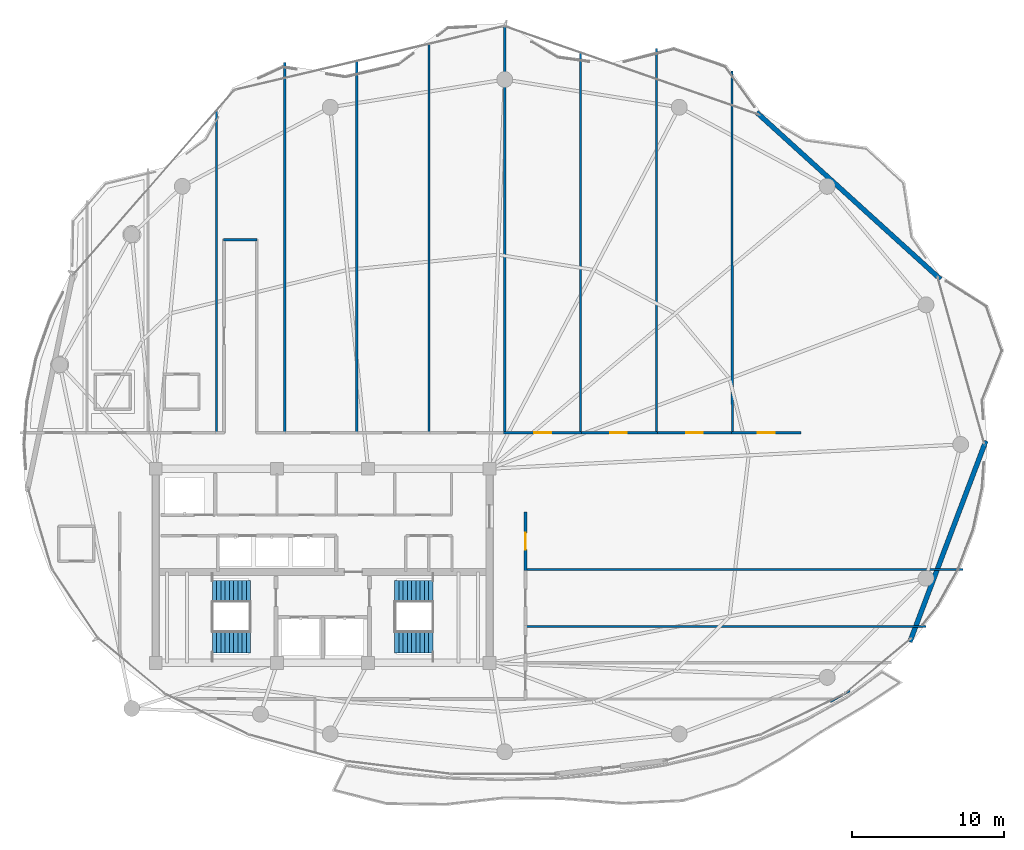
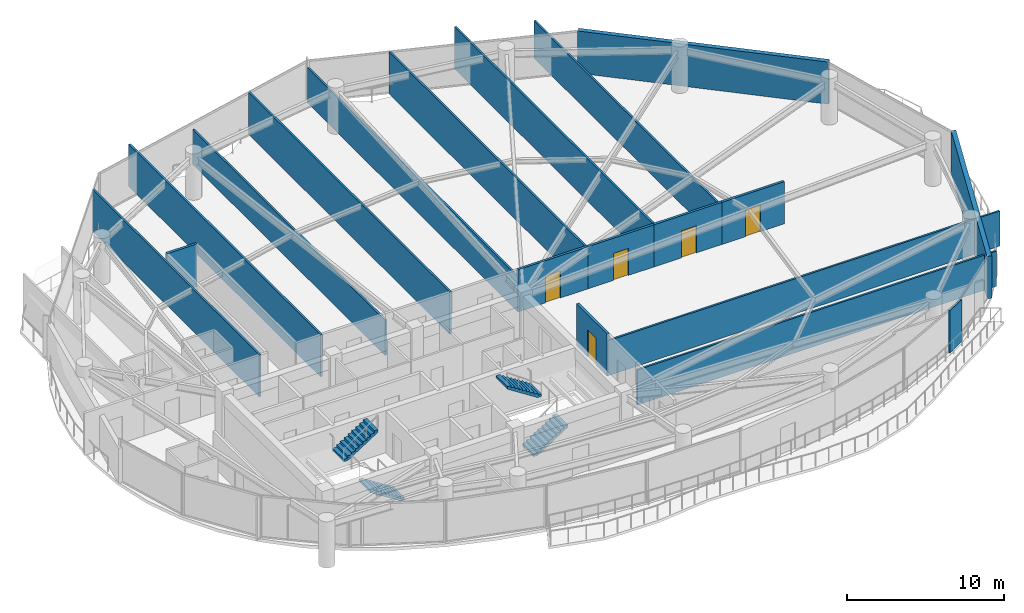
# One storey, part 25 of 29: 19 walls, 5 doors, 4 stair flights, 5 openings, 2 elements without a shape of their own.
"""IFC4 building model written with IfcOpenShell, lengths in metres."""

import ifcopenshell
import ifcopenshell.guid

model = None  # the IFC model being written
_history = None  # IfcOwnerHistory: only IFC2X3 demands one
_inside = {}  # id of a spatial element -> (the spatial element, [elements in it])
_under = {}  # id of a project, library or spatial element -> (it, [spatial elements below it])
_declared = {}  # id of a project -> (the project, [libraries it declares])
_typed = {}  # id of a type object -> (the type object, [elements of that type])
_made_of = {}  # id of a material, layer set ... -> (it, [elements and type objects made of it])


def new_model(schema):
    """Start an empty IFC model of exactly this schema.

    Asked for "IFC4X3", IfcOpenShell would pick the latest addendum, in which some entities
    have other attributes; the version numbers below select the first issue.
    IFC2X3 requires an IfcOwnerHistory on every rooted entity: one is made here for all.
    """
    global model, _history
    if schema == "IFC4X3":
        model = ifcopenshell.file(schema_version=(4, 3, 0, 0))
    else:
        model = ifcopenshell.file(schema=schema)
    _inside.clear()
    _under.clear()
    _declared.clear()
    _typed.clear()
    _made_of.clear()
    _history = None
    if model.schema == "IFC2X3":
        org = make("IfcOrganization", Name="unknown")
        user = make(
            "IfcPersonAndOrganization",
            ThePerson=make("IfcPerson", FamilyName="unknown"),
            TheOrganization=org,
        )
        app = make(
            "IfcApplication",
            ApplicationDeveloper=org,
            Version="unknown",
            ApplicationFullName="unknown",
            ApplicationIdentifier="unknown",
        )
        _history = make(
            "IfcOwnerHistory",
            OwningUser=user,
            OwningApplication=app,
            ChangeAction="ADDED",
            CreationDate=0,
        )
    return model


def make(cls, **values):
    """One entity of the class cls with the attributes given. An attribute that is None is left unset."""
    return model.create_entity(
        cls, **{name: value for name, value in values.items() if value is not None}
    )


def rooted(cls, **values):
    """An entity with a GlobalId (a new one), such as an element, a storey or a relation."""
    return make(cls, GlobalId=ifcopenshell.guid.new(), OwnerHistory=_history, **values)


def si_unit(unit_type, name, prefix=None):
    """IfcSIUnit, for example si_unit("LENGTHUNIT", "METRE", prefix="MILLI")."""
    return make("IfcSIUnit", UnitType=unit_type, Prefix=prefix, Name=name)


def assignment(units):
    """IfcUnitAssignment: the units of a project."""
    return None if units is None else make("IfcUnitAssignment", Units=units)


def point(xyz):
    """IfcCartesianPoint."""
    return None if xyz is None else make("IfcCartesianPoint", Coordinates=xyz)


def direction(xyz):
    """IfcDirection."""
    return None if xyz is None else make("IfcDirection", DirectionRatios=xyz)


def frame(location, z_axis=None, x_axis=None):
    """IfcAxis2Placement3D, a coordinate frame: its origin and axes. An axis left out is left unset."""
    return make(
        "IfcAxis2Placement3D",
        Location=point(location),
        Axis=direction(z_axis),
        RefDirection=direction(x_axis),
    )


def frame_2d(location, x_axis=None):
    """IfcAxis2Placement2D, a coordinate frame in the plane: its origin and x axis."""
    return make(
        "IfcAxis2Placement2D", Location=point(location), RefDirection=direction(x_axis)
    )


def origin():
    """The frame at (0, 0, 0) with its axes left unset."""
    return frame((0.0, 0.0, 0.0))


def place(relative_to, where):
    """IfcLocalPlacement: puts the frame where relative to a parent placement (None: the world)."""
    return make(
        "IfcLocalPlacement", PlacementRelTo=relative_to, RelativePlacement=where
    )


def context(
    kind, dimensions, precision=None, world=None, true_north=None, identifier=None
):
    """IfcGeometricRepresentationContext, for example the 3D "Model" context."""
    return make(
        "IfcGeometricRepresentationContext",
        ContextIdentifier=identifier,
        ContextType=kind,
        CoordinateSpaceDimension=dimensions,
        Precision=precision,
        WorldCoordinateSystem=world,
        TrueNorth=true_north,
    )


def subcontext(parent, identifier, kind, view, scale=None):
    """IfcGeometricRepresentationSubContext, for example "Body" below "Model"."""
    return make(
        "IfcGeometricRepresentationSubContext",
        ContextIdentifier=identifier,
        ContextType=kind,
        ParentContext=parent,
        TargetScale=scale,
        TargetView=view,
    )


def project(units=None, contexts=None):
    """IfcProject with its units and contexts."""
    return rooted(
        "IfcProject",
        Name="project",
        RepresentationContexts=contexts,
        UnitsInContext=assignment(units),
    )


def spatial(cls, under=None, at=None, **own):
    """A site, building, storey or space (cls), placed at a placement, below another one or the project."""
    s = rooted(cls, ObjectPlacement=at, **own)
    if under is not None:
        _under.setdefault(under.id(), (under, []))[1].append(s)
    return s


def polyline(points):
    """IfcPolyline through the points."""
    return make("IfcPolyline", Points=[point(p) for p in points])


def profile(cls, at=None, kind="AREA", **sizes):
    """A parametric profile (cls). Its sizes go by their IFC names, for example OverallWidth=200.0."""
    return make(cls, ProfileType=kind, Position=at, **sizes)


def rectangle(**sizes):
    """IfcRectangleProfileDef."""
    return profile("IfcRectangleProfileDef", **sizes)


def outline(outer, holes=None, kind="AREA"):
    """IfcArbitraryClosedProfileDef: a profile drawn as a closed curve; with holes, ...WithVoids."""
    if holes is None:
        return make("IfcArbitraryClosedProfileDef", ProfileType=kind, OuterCurve=outer)
    return make(
        "IfcArbitraryProfileDefWithVoids",
        ProfileType=kind,
        OuterCurve=outer,
        InnerCurves=holes,
    )


def extrude(swept, where, along, depth):
    """IfcExtrudedAreaSolid: the profile swept, set in the frame where, extruded along a direction by depth."""
    return make(
        "IfcExtrudedAreaSolid",
        SweptArea=swept,
        Position=where,
        ExtrudedDirection=direction(along),
        Depth=depth,
    )


def shape(context_of_items, identifier, shape_type, items):
    """IfcShapeRepresentation: the items that make up one representation, for example the "Body"."""
    return make(
        "IfcShapeRepresentation",
        ContextOfItems=context_of_items,
        RepresentationIdentifier=identifier,
        RepresentationType=shape_type,
        Items=items,
    )


def material(Name=None, Category=None):
    """IfcMaterial."""
    return make("IfcMaterial", Name=Name, Category=Category)


def layer(
    of_material, thickness, ventilated=None, Name=None, Category=None, Priority=None
):
    """IfcMaterialLayer: one layer of a wall or slab, of a material (None: an air gap)."""
    return make(
        "IfcMaterialLayer",
        Material=of_material,
        LayerThickness=thickness,
        IsVentilated=ventilated,
        Name=Name,
        Category=Category,
        Priority=Priority,
    )


def layer_set(layers, Name=None):
    """IfcMaterialLayerSet."""
    return make("IfcMaterialLayerSet", MaterialLayers=layers, LayerSetName=Name)


def made_of(thing, what):
    """Note that an element or type object is made of a material, layer set ...; save() writes the relation."""
    if what is not None:
        _made_of.setdefault(what.id(), (what, []))[1].append(thing)
    return thing


def type_object(cls, material=None, **own):
    """A type object (cls), such as IfcWallType, which elements share."""
    return made_of(rooted(cls, **own), material)


def element(
    cls,
    number,
    at=None,
    inside=None,
    cuts=None,
    type_object=None,
    material=None,
    context=None,
    identifier="Body",
    shape_type=None,
    held_by="IfcProductDefinitionShape",
    body=None,
    shapes=None,
    **own,
):
    """One element of the class cls, such as IfcWall. Its Tag is "e" and its number.

    at: its placement. inside: the storey or other place that contains it. cuts: it is an
    opening in that element (IfcRelVoidsElement). A single representation is given by context,
    identifier, shape_type and body (its items); several are given by shapes. held_by: the class
    of the entity that holds the representations. save() writes the other relations.
    """
    e = rooted(cls, Tag="e%d" % number, ObjectPlacement=at, **own)
    if body is not None:
        shapes = [shape(context, identifier, shape_type, body)]
    if shapes is not None:
        e.Representation = make(held_by, Representations=shapes)
    if inside is not None:
        _inside.setdefault(inside.id(), (inside, []))[1].append(e)
    if cuts is not None:
        rooted(
            "IfcRelVoidsElement", RelatingBuildingElement=cuts, RelatedOpeningElement=e
        )
    if type_object is not None:
        _typed.setdefault(type_object.id(), (type_object, []))[1].append(e)
    return made_of(e, material)


def fill(opening, filler):
    """IfcRelFillsElement: the door or window that sits in an opening."""
    return rooted(
        "IfcRelFillsElement",
        RelatingOpeningElement=opening,
        RelatedBuildingElement=filler,
    )


def aggregate(whole, parts):
    """IfcRelAggregates: a whole, such as a stair, and the parts it consists of."""
    return rooted("IfcRelAggregates", RelatingObject=whole, RelatedObjects=parts)


def save(model, path):
    """Write the relations noted so far, then the file.

    IfcRelAggregates (storeys below a building ...), IfcRelContainedInSpatialStructure (elements
    in a storey), IfcRelDefinesByType, IfcRelAssociatesMaterial and IfcRelDeclares: one each for
    every whole, place, type object, material and project.
    """
    for whole, parts in _under.values():
        aggregate(whole, parts)
    for where, things in _inside.values():
        rooted(
            "IfcRelContainedInSpatialStructure",
            RelatedElements=things,
            RelatingStructure=where,
        )
    for kind, things in _typed.values():
        rooted("IfcRelDefinesByType", RelatedObjects=things, RelatingType=kind)
    for what, things in _made_of.values():
        rooted("IfcRelAssociatesMaterial", RelatedObjects=things, RelatingMaterial=what)
    for by, libraries in _declared.values():
        rooted("IfcRelDeclares", RelatingContext=by, RelatedDefinitions=libraries)
    model.write(path)


model = new_model("IFC4")

# Units and contexts
model_context = context("Model", 3, precision=1e-05, world=origin(), true_north=direction((0.0, 1.0)))
body_context = subcontext(model_context, "Body", "Model", "MODEL_VIEW")
ifc_project = project(units=[si_unit("LENGTHUNIT", "METRE"), si_unit("AREAUNIT", "SQUARE_METRE"), si_unit("VOLUMEUNIT", "CUBIC_METRE"), si_unit("PLANEANGLEUNIT", "RADIAN"), si_unit("MASSUNIT", "GRAM", prefix="KILO")], contexts=[model_context])

# Site, building, storey
site_placement = place(None, origin())
site = spatial("IfcSite", under=ifc_project, at=site_placement, CompositionType="ELEMENT")
building_placement = place(site_placement, origin())
building = spatial("IfcBuilding", under=site, at=building_placement, Name="Kazevale Care Tower and Concert Hall", CompositionType="ELEMENT")
storey_placement = place(building_placement, frame((0.0, 0.0, 249.60009765625)))
storey = spatial("IfcBuildingStorey", under=building, at=storey_placement, Name="L66", CompositionType="ELEMENT", Elevation=249.60009765625)

# Walls
ifc_material_1 = material(Name="Acoustic Gypsum on Steel Stud", Category="steel")
ifc_layer_1 = layer(ifc_material_1, 0.139892578125)
ifc_layer_set_1 = layer_set([ifc_layer_1], Name="Acoustic Gypsum on Steel Stud")
wall_type_1 = type_object("IfcWallType", Name="Acoustic Care & Suite Partition 140", PredefinedType="PARTITIONING", material=ifc_layer_set_1)
wall_1_placement = place(storey_placement, frame((26.0, 60.002685546875, 0.0), z_axis=(0.0, 0.0, 1.0), x_axis=(0.0, -1.0, 0.0)))
element("IfcWall", 1, at=wall_1_placement, inside=storey, type_object=wall_type_1, Name="wall:L66:auto_025", PredefinedType="PARTITIONING", context=body_context, shape_type="SweptSolid", body=[
    extrude(rectangle(XDim=21.257568359375, YDim=0.139892578125, at=frame_2d((10.62890625, 0.0))), origin(), (0.0, 0.0, 1.0), 3.27978515625),
])
wall_2_placement = place(storey_placement, frame((30.5, 63.177001953125, 0.0), z_axis=(0.0, 0.0, 1.0), x_axis=(0.0, -1.0, 0.0)))
element("IfcWall", 2, at=wall_2_placement, inside=storey, type_object=wall_type_1, Name="wall:L66:auto_026", PredefinedType="PARTITIONING", context=body_context, shape_type="SweptSolid", body=[
    extrude(rectangle(XDim=24.431884765625, YDim=0.139892578125, at=frame_2d((12.2158203125, 0.0))), origin(), (0.0, 0.0, 1.0), 3.27978515625),
])
wall_3_placement = place(storey_placement, frame((35.25, 63.260009765625, 0.0), z_axis=(0.0, 0.0, 1.0), x_axis=(0.0, -1.0, 0.0)))
element("IfcWall", 3, at=wall_3_placement, inside=storey, type_object=wall_type_1, Name="wall:L66:auto_027", PredefinedType="PARTITIONING", context=body_context, shape_type="SweptSolid", body=[
    extrude(rectangle(XDim=24.514892578125, YDim=0.139892578125, at=frame_2d((12.25732421875, 0.0))), origin(), (0.0, 0.0, 1.0), 2.725830078125),
])
wall_4_placement = place(storey_placement, frame((40.0, 64.384765625, 0.0), z_axis=(0.0, 0.0, 1.0), x_axis=(0.0, -1.0, 0.0)))
element("IfcWall", 4, at=wall_4_placement, inside=storey, type_object=wall_type_1, Name="wall:L66:auto_028", PredefinedType="PARTITIONING", context=body_context, shape_type="SweptSolid", body=[
    extrude(rectangle(XDim=25.6396484375, YDim=0.139892578125, at=frame_2d((12.81982421875, 0.0))), origin(), (0.0, 0.0, 1.0), 3.27978515625),
])
wall_5_placement = place(storey_placement, frame((45.0, 65.5419921875, 0.0), z_axis=(0.0, 0.0, 1.0), x_axis=(0.0, -1.0, 0.0)))
element("IfcWall", 5, at=wall_5_placement, inside=storey, type_object=wall_type_1, Name="wall:L66:auto_029", PredefinedType="PARTITIONING", context=body_context, shape_type="SweptSolid", body=[
    extrude(rectangle(XDim=26.796875, YDim=0.139892578125, at=frame_2d((13.3984375, 0.0))), origin(), (0.0, 0.0, 1.0), 2.725830078125),
])
wall_6_placement = place(storey_placement, frame((50.0, 63.802490234375, 0.0), z_axis=(0.0, 0.0, 1.0), x_axis=(0.0, -1.0, 0.0)))
element("IfcWall", 6, at=wall_6_placement, inside=storey, type_object=wall_type_1, Name="wall:L66:auto_030", PredefinedType="PARTITIONING", context=body_context, shape_type="SweptSolid", body=[
    extrude(rectangle(XDim=25.057373046875, YDim=0.139892578125, at=frame_2d((12.52880859375, 0.0))), origin(), (0.0, 0.0, 1.0), 3.27978515625),
])
wall_7_placement = place(storey_placement, frame((55.0, 64.093994140625, 0.0), z_axis=(0.0, 0.0, 1.0), x_axis=(0.0, -1.0, 0.0)))
element("IfcWall", 7, at=wall_7_placement, inside=storey, type_object=wall_type_1, Name="wall:L66:auto_031", PredefinedType="PARTITIONING", context=body_context, shape_type="SweptSolid", body=[
    extrude(rectangle(XDim=25.348876953125, YDim=0.139892578125, at=frame_2d((12.67431640625, 0.0))), origin(), (0.0, 0.0, 1.0), 3.27978515625),
])
wall_8_placement = place(storey_placement, frame((59.97900390625, 62.60791015625, 0.0), z_axis=(0.0, 0.0, 1.0), x_axis=(0.000879867065, -0.999999612917, 0.0)))
element("IfcWall", 8, at=wall_8_placement, inside=storey, type_object=wall_type_1, Name="wall:L66:auto_032", PredefinedType="PARTITIONING", context=body_context, shape_type="SweptSolid", body=[
    extrude(rectangle(XDim=23.86279296875, YDim=0.139892578125, at=frame_2d((11.931396484375, 0.0))), origin(), (0.0, 0.0, 1.0), 2.916015625),
])
wall_9_placement = place(storey_placement, frame((67.748046875, 21.77001953125, 0.0), z_axis=(0.0, 0.0, 1.0), x_axis=(-0.871352238731, -0.490658003153, 0.0)))
element("IfcWall", 9, at=wall_9_placement, inside=storey, type_object=wall_type_1, Name="wall:L66:auto_035", PredefinedType="PARTITIONING", context=body_context, shape_type="SweptSolid", body=[
    extrude(rectangle(XDim=1.48974609375, YDim=0.139892578125, at=frame_2d((0.744873046875, 0.0))), origin(), (0.0, 0.0, 1.0), 3.27978515625),
])
wall_10_placement = place(storey_placement, frame((46.344970703125, 26.0, 0.0), z_axis=(0.0, 0.0, 1.0), x_axis=(1.0, 0.0, 0.0)))
element("IfcWall", 10, at=wall_10_placement, inside=storey, type_object=wall_type_1, Name="wall:L66:auto_036", PredefinedType="PARTITIONING", context=body_context, shape_type="SweptSolid", body=[
    extrude(rectangle(XDim=26.427978515625, YDim=0.139892578125, at=frame_2d((13.2138671875, 0.0))), origin(), (0.0, 0.0, 1.0), 2.725830078125),
])
wall_11_placement = place(storey_placement, frame((46.344970703125, 29.75, 0.0), z_axis=(0.0, 0.0, 1.0), x_axis=(1.0, 0.0, 0.0)))
element("IfcWall", 11, at=wall_11_placement, inside=storey, type_object=wall_type_1, Name="wall:L66:auto_037", PredefinedType="PARTITIONING", context=body_context, shape_type="SweptSolid", body=[
    extrude(rectangle(XDim=28.846923828125, YDim=0.139892578125, at=frame_2d((14.42333984375, 0.0))), origin(), (0.0, 0.0, 1.0), 2.725830078125),
])
ifc_material_2 = material(Name="Concrete C40 and Acoustic Gypsum", Category="concrete")
ifc_layer_2 = layer(ifc_material_2, 0.179931640625)
ifc_layer_set_2 = layer_set([ifc_layer_2], Name="Concrete C40 and Acoustic Gypsum")
wall_type_2 = type_object("IfcWallType", Name="Fire-Rated Corridor & Party Wall 180", PredefinedType="PARTITIONING", material=ifc_layer_set_2)
wall_12_placement = place(storey_placement, frame((26.469970703125, 51.5, 0.0), z_axis=(0.0, 0.0, 1.0), x_axis=(1.0, 0.0, 0.0)))
element("IfcWall", 12, at=wall_12_placement, inside=storey, type_object=wall_type_2, Name="wall:L66:auto_006", PredefinedType="PARTITIONING", context=body_context, shape_type="SweptSolid", body=[
    extrude(rectangle(XDim=2.2099609375, YDim=0.179931640625, at=frame_2d((1.10498046875, 0.0))), origin(), (0.0, 0.0, 1.0), 3.27978515625),
])

# Wall, opening, door
wall_13_placement = place(storey_placement, frame((44.93505859375, 38.77490234375, 0.0), z_axis=(0.0, 0.0, 1.0), x_axis=(1.0, 0.0, 0.0)))
wall_13 = element("IfcWall", 13, at=wall_13_placement, inside=storey, type_object=wall_type_2, Name="wall:L66:auto_012", PredefinedType="PARTITIONING", context=body_context, shape_type="SweptSolid", body=[
    extrude(rectangle(XDim=5.1298828125, YDim=0.179931640625, at=frame_2d((2.56494140625, 0.0))), origin(), (0.0, 0.0, 1.0), 3.27978515625),
])
opening_1_placement = place(wall_13_placement, frame((2.014892578125, 0.0, 0.0)))
opening_1 = element("IfcOpeningElement", 14, at=opening_1_placement, cuts=wall_13, Name="Opening ID-1100", PredefinedType="OPENING", context=body_context, shape_type="SweptSolid", body=[
    extrude(rectangle(XDim=1.10009765625, YDim=2.10009765625, at=frame_2d((0.550048828125, 1.050048828125))), frame((0.0, 0.099853515625, 0.0), z_axis=(0.0, -1.0, 0.0), x_axis=(1.0, 0.0, 0.0)), (0.0, 0.0, 1.0), 0.199951171875),
])
ifc_material_3 = material(Name="Oak Timber Fire Leaf", Category="wood")
door_type = type_object("IfcDoorType", Name="Care Bedroom Accessible Door 1100x2100", OperationType="NOTDEFINED", PredefinedType="DOOR", material=ifc_material_3)
door_1_placement = place(opening_1_placement, origin())
door_1 = element("IfcDoor", 15, at=door_1_placement, inside=storey, type_object=door_type, Name="door:L66:ad_012", OperationType="SINGLE_SWING_LEFT", OverallHeight=2.10009765625, OverallWidth=1.10009765625, PredefinedType="DOOR", context=body_context, shape_type="SweptSolid", body=[
    extrude(rectangle(XDim=1.10009765625, YDim=2.10009765625, at=frame_2d((0.550048828125, 1.050048828125))), frame((0.0, 0.02490234375, 0.0), z_axis=(0.0, -1.0, 0.0), x_axis=(1.0, 0.0, 0.0)), (0.0, 0.0, 1.0), 0.050048828125),
])
fill(opening_1, door_1)

wall_14_placement = place(storey_placement, frame((49.93505859375, 38.77490234375, 0.0), z_axis=(0.0, 0.0, 1.0), x_axis=(1.0, 0.0, 0.0)))
wall_14 = element("IfcWall", 16, at=wall_14_placement, inside=storey, type_object=wall_type_2, Name="wall:L66:auto_013", PredefinedType="PARTITIONING", context=body_context, shape_type="SweptSolid", body=[
    extrude(rectangle(XDim=5.1298828125, YDim=0.179931640625, at=frame_2d((2.56494140625, 0.0))), origin(), (0.0, 0.0, 1.0), 3.27978515625),
])
opening_2_placement = place(wall_14_placement, frame((2.014892578125, 0.0, 0.0)))
opening_2 = element("IfcOpeningElement", 17, at=opening_2_placement, cuts=wall_14, Name="Opening ID-1100", PredefinedType="OPENING", context=body_context, shape_type="SweptSolid", body=[
    extrude(rectangle(XDim=1.10009765625, YDim=2.10009765625, at=frame_2d((0.550048828125, 1.050048828125))), frame((0.0, 0.099853515625, 0.0), z_axis=(0.0, -1.0, 0.0), x_axis=(1.0, 0.0, 0.0)), (0.0, 0.0, 1.0), 0.199951171875),
])
door_2_placement = place(opening_2_placement, origin())
door_2 = element("IfcDoor", 18, at=door_2_placement, inside=storey, type_object=door_type, Name="door:L66:ad_013", OperationType="SINGLE_SWING_LEFT", OverallHeight=2.10009765625, OverallWidth=1.10009765625, PredefinedType="DOOR", context=body_context, shape_type="SweptSolid", body=[
    extrude(rectangle(XDim=1.10009765625, YDim=2.10009765625, at=frame_2d((0.550048828125, 1.050048828125))), frame((0.0, 0.02490234375, 0.0), z_axis=(0.0, -1.0, 0.0), x_axis=(1.0, 0.0, 0.0)), (0.0, 0.0, 1.0), 0.050048828125),
])
fill(opening_2, door_2)

wall_15_placement = place(storey_placement, frame((54.93505859375, 38.77490234375, 0.0), z_axis=(0.0, 0.0, 1.0), x_axis=(1.0, 0.0, 0.0)))
wall_15 = element("IfcWall", 19, at=wall_15_placement, inside=storey, type_object=wall_type_2, Name="wall:L66:auto_014", PredefinedType="PARTITIONING", context=body_context, shape_type="SweptSolid", body=[
    extrude(rectangle(XDim=5.1298828125, YDim=0.179931640625, at=frame_2d((2.56494140625, 0.0))), origin(), (0.0, 0.0, 1.0), 3.27978515625),
])
opening_3_placement = place(wall_15_placement, frame((2.014892578125, 0.0, 0.0)))
opening_3 = element("IfcOpeningElement", 20, at=opening_3_placement, cuts=wall_15, Name="Opening ID-1100", PredefinedType="OPENING", context=body_context, shape_type="SweptSolid", body=[
    extrude(rectangle(XDim=1.10009765625, YDim=2.10009765625, at=frame_2d((0.550048828125, 1.050048828125))), frame((0.0, 0.099853515625, 0.0), z_axis=(0.0, -1.0, 0.0), x_axis=(1.0, 0.0, 0.0)), (0.0, 0.0, 1.0), 0.199951171875),
])
door_3_placement = place(opening_3_placement, origin())
door_3 = element("IfcDoor", 21, at=door_3_placement, inside=storey, type_object=door_type, Name="door:L66:ad_014", OperationType="SINGLE_SWING_LEFT", OverallHeight=2.10009765625, OverallWidth=1.10009765625, PredefinedType="DOOR", context=body_context, shape_type="SweptSolid", body=[
    extrude(rectangle(XDim=1.10009765625, YDim=2.10009765625, at=frame_2d((0.550048828125, 1.050048828125))), frame((0.0, 0.02490234375, 0.0), z_axis=(0.0, -1.0, 0.0), x_axis=(1.0, 0.0, 0.0)), (0.0, 0.0, 1.0), 0.050048828125),
])
fill(opening_3, door_3)

wall_16_placement = place(storey_placement, frame((59.93505859375, 38.77490234375, 0.0), z_axis=(0.0, 0.0, 1.0), x_axis=(1.0, 0.0, 0.0)))
wall_16 = element("IfcWall", 22, at=wall_16_placement, inside=storey, type_object=wall_type_2, Name="wall:L66:auto_015", PredefinedType="PARTITIONING", context=body_context, shape_type="SweptSolid", body=[
    extrude(rectangle(XDim=4.594970703125, YDim=0.179931640625, at=frame_2d((2.29736328125, 0.0))), origin(), (0.0, 0.0, 1.0), 3.27978515625),
])
opening_4_placement = place(wall_16_placement, frame((1.7470703125, 0.0, 0.0)))
opening_4 = element("IfcOpeningElement", 23, at=opening_4_placement, cuts=wall_16, Name="Opening ID-1100", PredefinedType="OPENING", context=body_context, shape_type="SweptSolid", body=[
    extrude(rectangle(XDim=1.10009765625, YDim=2.10009765625, at=frame_2d((0.550048828125, 1.050048828125))), frame((0.0, 0.099853515625, 0.0), z_axis=(0.0, -1.0, 0.0), x_axis=(1.0, 0.0, 0.0)), (0.0, 0.0, 1.0), 0.199951171875),
])
door_4_placement = place(opening_4_placement, origin())
door_4 = element("IfcDoor", 24, at=door_4_placement, inside=storey, type_object=door_type, Name="door:L66:ad_015", OperationType="SINGLE_SWING_LEFT", OverallHeight=2.10009765625, OverallWidth=1.10009765625, PredefinedType="DOOR", context=body_context, shape_type="SweptSolid", body=[
    extrude(rectangle(XDim=1.10009765625, YDim=2.10009765625, at=frame_2d((0.550048828125, 1.050048828125))), frame((0.0, 0.02490234375, 0.0), z_axis=(0.0, -1.0, 0.0), x_axis=(1.0, 0.0, 0.0)), (0.0, 0.0, 1.0), 0.050048828125),
])
fill(opening_4, door_4)

wall_17_placement = place(storey_placement, frame((46.375, 33.56494140625, 0.0), z_axis=(0.0, 0.0, 1.0), x_axis=(0.0, -1.0, 0.0)))
wall_17 = element("IfcWall", 25, at=wall_17_placement, inside=storey, type_object=wall_type_2, Name="wall:L66:auto_019", PredefinedType="PARTITIONING", context=body_context, shape_type="SweptSolid", body=[
    extrude(rectangle(XDim=3.8798828125, YDim=0.179931640625, at=frame_2d((1.93994140625, 0.0))), origin(), (0.0, 0.0, 1.0), 3.27978515625),
])
opening_5_placement = place(wall_17_placement, frame((1.389892578125, 0.0, 0.0)))
opening_5 = element("IfcOpeningElement", 26, at=opening_5_placement, cuts=wall_17, Name="Opening ID-1100", PredefinedType="OPENING", context=body_context, shape_type="SweptSolid", body=[
    extrude(rectangle(XDim=1.10009765625, YDim=2.10009765625, at=frame_2d((0.550048828125, 1.050048828125))), frame((0.0, 0.099853515625, 0.0), z_axis=(0.0, -1.0, 0.0), x_axis=(1.0, 0.0, 0.0)), (0.0, 0.0, 1.0), 0.199951171875),
])
door_5_placement = place(opening_5_placement, origin())
door_5 = element("IfcDoor", 27, at=door_5_placement, inside=storey, type_object=door_type, Name="door:L66:ad_019", OperationType="SINGLE_SWING_LEFT", OverallHeight=2.10009765625, OverallWidth=1.10009765625, PredefinedType="DOOR", context=body_context, shape_type="SweptSolid", body=[
    extrude(rectangle(XDim=1.10009765625, YDim=2.10009765625, at=frame_2d((0.550048828125, 1.050048828125))), frame((0.0, 0.02490234375, 0.0), z_axis=(0.0, -1.0, 0.0), x_axis=(1.0, 0.0, 0.0)), (0.0, 0.0, 1.0), 0.050048828125),
])
fill(opening_5, door_5)

# Walls
ifc_material_4 = material(Name="Concrete C40 with Honed Limestone Cladding", Category="masonry")
ifc_layer_3 = layer(ifc_material_4, 0.320068359375)
ifc_layer_set_3 = layer_set([ifc_layer_3], Name="Concrete C40 with Honed Limestone Cladding")
wall_type_3 = type_object("IfcWallType", Name="Tower Honed Limestone Spandrel Wall 320", PredefinedType="STANDARD", material=ifc_layer_set_3)
wall_18_placement = place(storey_placement, frame((76.7119140625, 38.242919921875, 0.0), z_axis=(0.0, 0.0, 1.0), x_axis=(-0.353659523244, -0.935374225441, 0.0)))
element("IfcWall", 28, at=wall_18_placement, inside=storey, type_object=wall_type_3, Name="wall:cw:L66:f01", PredefinedType="STANDARD", context=body_context, shape_type="SweptSolid", body=[
    extrude(rectangle(XDim=14.171630859375, YDim=0.320068359375, at=frame_2d((7.0859375, 0.0))), origin(), (0.0, 0.0, 1.0), 3.27978515625),
])
wall_19_placement = place(storey_placement, frame((61.60205078125, 59.884033203125, 0.0), z_axis=(0.0, 0.0, 1.0), x_axis=(0.740416582554, -0.672148260638, 0.0)))
element("IfcWall", 29, at=wall_19_placement, inside=storey, type_object=wall_type_3, Name="wall:cw:L66:f17", PredefinedType="STANDARD", context=body_context, shape_type="SweptSolid", body=[
    extrude(rectangle(XDim=16.361083984375, YDim=0.320068359375, at=frame_2d((8.1806640625, 0.0))), origin(), (0.0, 0.0, 1.0), 3.27978515625),
])

# Stair, stair flights
ifc_material_5 = material(Name="Concrete C40", Category="concrete")
stair_type = type_object("IfcStairType", Name="Exit Stair Assembly ST1-Z3", PredefinedType="HALF_TURN_STAIR", material=ifc_material_5)
stair_1_placement = place(storey_placement, origin())
stair_1 = element("IfcStair", 30, at=stair_1_placement, inside=storey, type_object=stair_type, Name="stair:L66:ST1", PredefinedType="HALF_TURN_STAIR")
ifc_layer_4 = layer(ifc_material_5, 0.159912109375)
ifc_layer_set_4 = layer_set([ifc_layer_4], Name="Concrete C40")
stair_flight_type = type_object("IfcStairFlightType", Name="Exit Stair Flight ST1-Z3", PredefinedType="STRAIGHT", material=ifc_layer_set_4)
stair_flight_1_placement = place(storey_placement, frame((28.25, 24.97509765625, 0.0), z_axis=(0.0, 0.0, 1.0), x_axis=(-1.0, 0.0, 0.0)))
stair_flight_1 = element("IfcStairFlight", 31, at=stair_flight_1_placement, type_object=stair_flight_type, Name="ST1-Z3 flight 1", NumberOfRisers=10, NumberOfTreads=9, PredefinedType="STRAIGHT", RiserHeight=0.18, TreadLength=0.28, context=body_context, shape_type="SweptSolid", body=[
    extrude(outline(polyline([(0.0, 0.0), (0.0, 0.179931640625), (0.280029296875, 0.179931640625), (0.280029296875, 0.360107421875), (0.56005859375, 0.360107421875), (0.56005859375, 0.5400390625), (0.840087890625, 0.5400390625), (0.840087890625, 0.719970703125), (1.1201171875, 0.719970703125), (1.1201171875, 0.89990234375), (1.39990234375, 0.89990234375), (1.39990234375, 1.080078125), (1.679931640625, 1.080078125), (1.679931640625, 1.260009765625), (1.9599609375, 1.260009765625), (1.9599609375, 1.43994140625), (2.239990234375, 1.43994140625), (2.239990234375, 1.6201171875), (2.52001953125, 1.6201171875), (2.52001953125, 1.800048828125), (2.52001953125, 1.429931640625), (0.295654296875, 0.0), (0.0, 0.0)])), frame((0.0, 0.72509765625, 0.0), z_axis=(0.0, -1.0, 0.0), x_axis=(1.0, 0.0, 0.0)), (0.0, 0.0, 1.0), 1.449951171875),
])
stair_flight_2_placement = place(storey_placement, frame((25.72998046875, 28.324951171875, 1.7998046875), z_axis=(0.0, 0.0, 1.0), x_axis=(1.0, 0.0, 0.0)))
stair_flight_2 = element("IfcStairFlight", 32, at=stair_flight_2_placement, type_object=stair_flight_type, Name="ST1-Z3 flight 2", NumberOfRisers=10, NumberOfTreads=9, PredefinedType="STRAIGHT", RiserHeight=0.18, TreadLength=0.28, context=body_context, shape_type="SweptSolid", body=[
    extrude(outline(polyline([(0.0, 0.0), (0.0, 0.179931640625), (0.280029296875, 0.179931640625), (0.280029296875, 0.360107421875), (0.56005859375, 0.360107421875), (0.56005859375, 0.5400390625), (0.840087890625, 0.5400390625), (0.840087890625, 0.719970703125), (1.1201171875, 0.719970703125), (1.1201171875, 0.89990234375), (1.39990234375, 0.89990234375), (1.39990234375, 1.080078125), (1.679931640625, 1.080078125), (1.679931640625, 1.260009765625), (1.9599609375, 1.260009765625), (1.9599609375, 1.43994140625), (2.239990234375, 1.43994140625), (2.239990234375, 1.6201171875), (2.52001953125, 1.6201171875), (2.52001953125, 1.800048828125), (2.52001953125, 1.429931640625), (0.295654296875, 0.0), (0.0, 0.0)])), frame((0.0, 0.72509765625, 0.0), z_axis=(0.0, -1.0, 0.0), x_axis=(1.0, 0.0, 0.0)), (0.0, 0.0, 1.0), 1.449951171875),
])
aggregate(stair_1, [stair_flight_1, stair_flight_2])

stair_2_placement = place(storey_placement, origin())
stair_2 = element("IfcStair", 33, at=stair_2_placement, inside=storey, type_object=stair_type, Name="stair:L66:ST2", PredefinedType="HALF_TURN_STAIR")
stair_flight_3_placement = place(storey_placement, frame((37.75, 24.97509765625, 0.0), z_axis=(0.0, 0.0, 1.0), x_axis=(1.0, 0.0, 0.0)))
stair_flight_3 = element("IfcStairFlight", 34, at=stair_flight_3_placement, type_object=stair_flight_type, Name="ST1-Z3 flight 1", NumberOfRisers=10, NumberOfTreads=9, PredefinedType="STRAIGHT", RiserHeight=0.18, TreadLength=0.28, context=body_context, shape_type="SweptSolid", body=[
    extrude(outline(polyline([(0.0, 0.0), (0.0, 0.179931640625), (0.280029296875, 0.179931640625), (0.280029296875, 0.360107421875), (0.56005859375, 0.360107421875), (0.56005859375, 0.5400390625), (0.840087890625, 0.5400390625), (0.840087890625, 0.719970703125), (1.1201171875, 0.719970703125), (1.1201171875, 0.89990234375), (1.39990234375, 0.89990234375), (1.39990234375, 1.080078125), (1.679931640625, 1.080078125), (1.679931640625, 1.260009765625), (1.9599609375, 1.260009765625), (1.9599609375, 1.43994140625), (2.239990234375, 1.43994140625), (2.239990234375, 1.6201171875), (2.52001953125, 1.6201171875), (2.52001953125, 1.800048828125), (2.52001953125, 1.429931640625), (0.295654296875, 0.0), (0.0, 0.0)])), frame((0.0, 0.72509765625, 0.0), z_axis=(0.0, -1.0, 0.0), x_axis=(1.0, 0.0, 0.0)), (0.0, 0.0, 1.0), 1.449951171875),
])
stair_flight_4_placement = place(storey_placement, frame((40.27001953125, 28.324951171875, 1.7998046875), z_axis=(0.0, 0.0, 1.0), x_axis=(-1.0, 0.0, 0.0)))
stair_flight_4 = element("IfcStairFlight", 35, at=stair_flight_4_placement, type_object=stair_flight_type, Name="ST1-Z3 flight 2", NumberOfRisers=10, NumberOfTreads=9, PredefinedType="STRAIGHT", RiserHeight=0.18, TreadLength=0.28, context=body_context, shape_type="SweptSolid", body=[
    extrude(outline(polyline([(0.0, 0.0), (0.0, 0.179931640625), (0.280029296875, 0.179931640625), (0.280029296875, 0.360107421875), (0.56005859375, 0.360107421875), (0.56005859375, 0.5400390625), (0.840087890625, 0.5400390625), (0.840087890625, 0.719970703125), (1.1201171875, 0.719970703125), (1.1201171875, 0.89990234375), (1.39990234375, 0.89990234375), (1.39990234375, 1.080078125), (1.679931640625, 1.080078125), (1.679931640625, 1.260009765625), (1.9599609375, 1.260009765625), (1.9599609375, 1.43994140625), (2.239990234375, 1.43994140625), (2.239990234375, 1.6201171875), (2.52001953125, 1.6201171875), (2.52001953125, 1.800048828125), (2.52001953125, 1.429931640625), (0.295654296875, 0.0), (0.0, 0.0)])), frame((0.0, 0.72509765625, 0.0), z_axis=(0.0, -1.0, 0.0), x_axis=(1.0, 0.0, 0.0)), (0.0, 0.0, 1.0), 1.449951171875),
])
aggregate(stair_2, [stair_flight_3, stair_flight_4])

save(model, "model.ifc")
